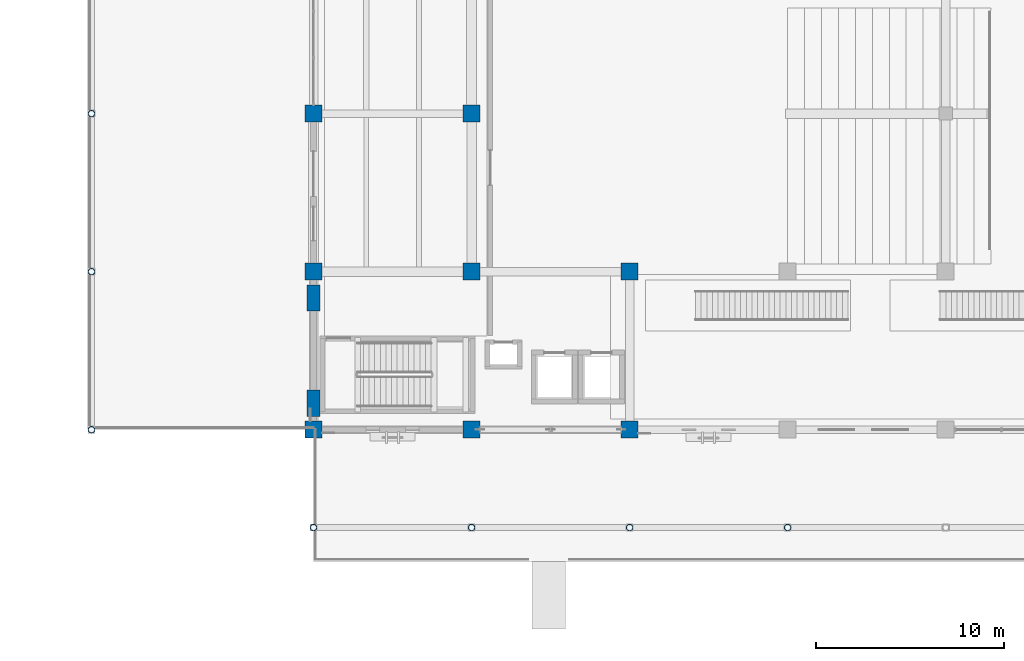
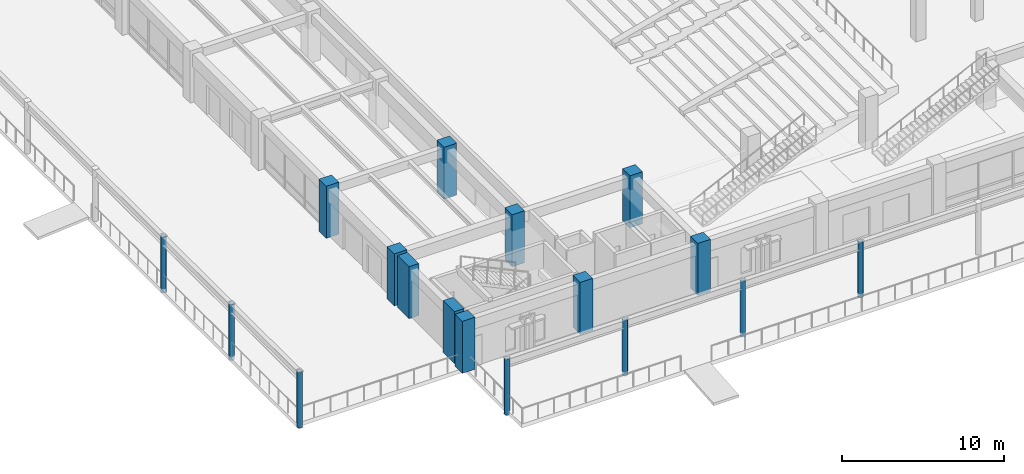
# One storey, part 1 of 135: 17 columns.
"""IFC4 building model written with IfcOpenShell, lengths in metres."""

from ifc_helpers import new_model, si_unit, direction, frame, origin, origin_2d, place, context, subcontext, project, spatial, rectangle, hollow_circle, extrude, material, material_profile, profile_set, type_object, element, save


model = new_model("IFC4")

# Units and contexts
model_context = context("Model", 3, precision=1e-05, world=origin(), true_north=direction((0.0, 1.0)))
body_context = subcontext(model_context, "Body", "Model", "MODEL_VIEW")
ifc_project = project(units=[si_unit("LENGTHUNIT", "METRE"), si_unit("AREAUNIT", "SQUARE_METRE"), si_unit("VOLUMEUNIT", "CUBIC_METRE"), si_unit("PLANEANGLEUNIT", "RADIAN"), si_unit("MASSUNIT", "GRAM", prefix="KILO")], contexts=[model_context])

# Site, building, storey
site_placement = place(None, origin())
site = spatial("IfcSite", under=ifc_project, at=site_placement, CompositionType="ELEMENT")
building_placement = place(site_placement, origin())
building = spatial("IfcBuilding", under=site, at=building_placement, Name="Cumbredor Promenade Congress Hotel", CompositionType="ELEMENT")
storey_placement = place(building_placement, origin())
storey = spatial("IfcBuildingStorey", under=building, at=storey_placement, Name="L00", CompositionType="ELEMENT", Elevation=0.0)

# Columns
ifc_material_1 = material(Name="Concrete C50/60", Category="concrete")
ifc_material_profile_1 = material_profile(ifc_material_1, rectangle(XDim=0.89990234375, YDim=0.89990234375, at=origin_2d()), Name="RC 900x900")
ifc_profile_set_1 = profile_set([ifc_material_profile_1], Name="Concrete C50/60")
column_type_1 = type_object("IfcColumnType", Name="COL-RC-900", PredefinedType="COLUMN", material=ifc_profile_set_1)
for number, where, z_axis, x_axis, name in (
    (1, (8.39990234375, 8.39990234375, 0.0), (0.0, 0.0, 1.0), (1.0, 0.0, 0.0), "L00 Structural Column 006"),
    (2, (8.39990234375, 16.800048828125, 0.0), (0.0, 0.0, 1.0), (1.0, 0.0, 0.0), "L00 Structural Column 007"),
    (3, (8.39990234375, 25.199951171875, 0.0), (0.0, 0.0, 1.0), (1.0, 0.0, 0.0), "L00 Structural Column 008"),
    (4, (16.800048828125, 8.39990234375, 0.0), (0.0, 0.0, 1.0), (1.0, 0.0, 0.0), "L00 Structural Column 019"),
    (5, (16.800048828125, 16.800048828125, 0.0), (0.0, 0.0, 1.0), (1.0, 0.0, 0.0), "L00 Structural Column 020"),
    (6, (16.800048828125, 25.199951171875, 0.0), (0.0, 0.0, 1.0), (1.0, 0.0, 0.0), "L00 Structural Column 021"),
    (7, (25.199951171875, 8.39990234375, 0.0), (0.0, 0.0, 1.0), (1.0, 0.0, 0.0), "L00 Structural Column 032"),
    (8, (25.199951171875, 16.800048828125, 0.0), (0.0, 0.0, 1.0), (1.0, 0.0, 0.0), "L00 Structural Column 033"),
):
    element("IfcColumn", number, at=place(storey_placement, frame(where, z_axis=z_axis, x_axis=x_axis)), inside=storey, type_object=column_type_1, Name=name, PredefinedType="COLUMN", context=body_context, shape_type="SweptSolid", body=[
        extrude(rectangle(XDim=0.89990234375, YDim=0.89990234375, at=origin_2d()), origin(), (0.0, 0.0, 1.0), 3.919921875),
    ])
ifc_material_2 = material(Name="Steel ASTM A500 Grade C", Category="steel")
ifc_material_profile_2 = material_profile(ifc_material_2, hollow_circle(Radius=0.177734375, WallThickness=0.01611328125, at=origin_2d()), Name="CHS 355.6x16")
ifc_profile_set_2 = profile_set([ifc_material_profile_2], Name="Steel ASTM A500 Grade C")
column_type_2 = type_object("IfcColumnType", Name="COL-STL-CHS355", PredefinedType="COLUMN", material=ifc_profile_set_2)
for number, where, z_axis, x_axis, name in (
    (9, (-3.39990234375, 8.39990234375, -0.300048828125), (0.0, 0.0, 1.0), (1.0, 0.0, 0.0), "Promenade Colonnade Column TC-001"),
    (10, (-3.39990234375, 16.800048828125, -0.300048828125), (0.0, 0.0, 1.0), (1.0, 0.0, 0.0), "Promenade Colonnade Column TC-002"),
    (11, (-3.39990234375, 25.199951171875, -0.300048828125), (0.0, 0.0, 1.0), (1.0, 0.0, 0.0), "Promenade Colonnade Column TC-003"),
    (12, (8.39990234375, 3.199951171875, -0.300048828125), (0.0, 0.0, 1.0), (1.0, 0.0, 0.0), "Promenade Colonnade Column TC-009"),
    (13, (16.800048828125, 3.199951171875, -0.300048828125), (0.0, 0.0, 1.0), (1.0, 0.0, 0.0), "Promenade Colonnade Column TC-010"),
    (14, (25.199951171875, 3.199951171875, -0.300048828125), (0.0, 0.0, 1.0), (1.0, 0.0, 0.0), "Promenade Colonnade Column TC-011"),
    (15, (33.60009765625, 3.199951171875, -0.300048828125), (0.0, 0.0, 1.0), (1.0, 0.0, 0.0), "Promenade Colonnade Column TC-012"),
):
    element("IfcColumn", number, at=place(storey_placement, frame(where, z_axis=z_axis, x_axis=x_axis)), inside=storey, type_object=column_type_2, Name=name, PredefinedType="COLUMN", context=body_context, shape_type="SweptSolid", body=[
        extrude(hollow_circle(Radius=0.177734375, WallThickness=0.01611328125, at=origin_2d()), origin(), (0.0, 0.0, 1.0), 4.219970703125),
    ])
ifc_material_profile_3 = material_profile(ifc_material_1, rectangle(XDim=0.699951171875, YDim=1.39990234375, at=origin_2d()), Name="RC PILASTER 1400x700")
ifc_profile_set_3 = profile_set([ifc_material_profile_3], Name="Concrete C50/60")
column_type_3 = type_object("IfcColumnType", Name="PIL-RC-1400x700", PredefinedType="PILASTER", material=ifc_profile_set_3)
for number, where, z_axis, x_axis, name in (
    (16, (8.39990234375, 9.800048828125, 0.0), (0.0, 0.0, 1.0), (1.0, 0.0, 0.0), "L00 Acoustic Seismic Pilaster 017"),
    (17, (8.39990234375, 15.39990234375, 0.0), (0.0, 0.0, 1.0), (1.0, 0.0, 0.0), "L00 Acoustic Seismic Pilaster 018"),
):
    element("IfcColumn", number, at=place(storey_placement, frame(where, z_axis=z_axis, x_axis=x_axis)), inside=storey, type_object=column_type_3, Name=name, PredefinedType="PILASTER", context=body_context, shape_type="SweptSolid", body=[
        extrude(rectangle(XDim=0.699951171875, YDim=1.39990234375, at=origin_2d()), origin(), (0.0, 0.0, 1.0), 3.919921875),
    ])

save(model, "model.ifc")
